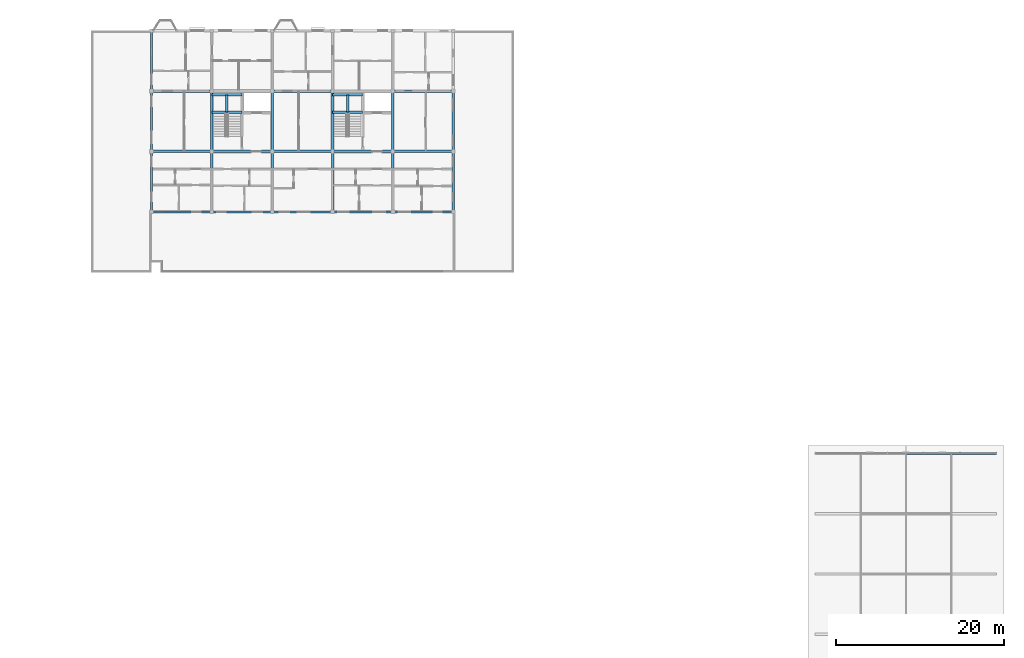
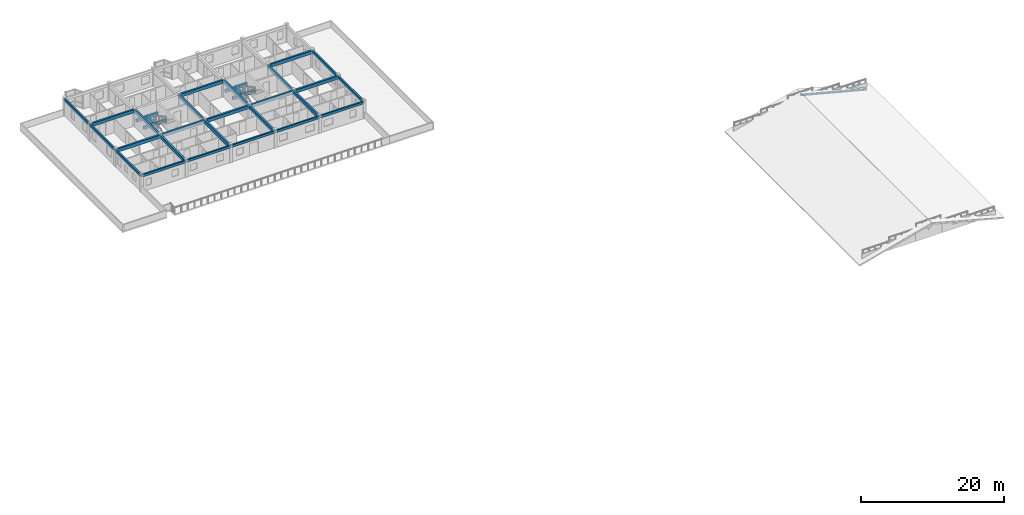
# One storey, part 17 of 40: 32 beams, 1 member.
"""IFC4 building model written with IfcOpenShell, lengths in metres."""

from ifc_helpers import new_model, si_unit, direction, frame, origin, origin_2d, place, context, subcontext, project, spatial, rectangle, i_section, extrude, material, material_profile, profile_set, type_object, element, save


model = new_model("IFC4")

# Units and contexts
model_context = context("Model", 3, precision=1e-05, world=origin(), true_north=direction((0.0, 1.0)))
body_context = subcontext(model_context, "Body", "Model", "MODEL_VIEW")
ifc_project = project(units=[si_unit("LENGTHUNIT", "METRE"), si_unit("AREAUNIT", "SQUARE_METRE"), si_unit("VOLUMEUNIT", "CUBIC_METRE"), si_unit("PLANEANGLEUNIT", "RADIAN"), si_unit("MASSUNIT", "GRAM", prefix="KILO"), si_unit("THERMODYNAMICTEMPERATUREUNIT", "KELVIN"), si_unit("POWERUNIT", "WATT")], contexts=[model_context])

# Site, building, storey
site_placement = place(None, origin())
site = spatial("IfcSite", under=ifc_project, at=site_placement, CompositionType="ELEMENT")
building_placement = place(site_placement, origin())
building = spatial("IfcBuilding", under=site, at=building_placement, Name="Tavuni Mirador Residences", CompositionType="ELEMENT")
storey_placement = place(building_placement, frame((0.0, 0.0, 36.0)))
storey = spatial("IfcBuildingStorey", under=building, at=storey_placement, Name="L11", CompositionType="ELEMENT", Elevation=36.0)

# Beams
ifc_material_1 = material(Name="Precast concrete C40/50", Category="concrete")
ifc_material_profile_1 = material_profile(ifc_material_1, rectangle(XDim=0.300048828125, YDim=0.5, at=origin_2d()), Name="PC 300x500", Category="concrete")
ifc_profile_set_1 = profile_set([ifc_material_profile_1], Name="Precast concrete C40/50")
beam_type_1 = type_object("IfcBeamType", Name="BT-B500", PredefinedType="BEAM", material=ifc_profile_set_1)
for number, where, z_axis, x_axis, name in (
    (1, (25.199951171875, 163.10009765625, 1.14501953125), (1.0, 0.0, 0.0), (0.0, 1.0, 0.0), "HLB1-C5-L11"),
    (2, (25.199951171875, 165.14990234375, 1.14501953125), (1.0, 0.0, 0.0), (0.0, 1.0, 0.0), "HLB2-C5-L11"),
):
    element("IfcBeam", number, at=place(storey_placement, frame(where, z_axis=z_axis, x_axis=x_axis)), inside=storey, type_object=beam_type_1, Name=name, PredefinedType="BEAM", context=body_context, shape_type="SweptSolid", body=[
        extrude(rectangle(XDim=0.300048828125, YDim=0.5, at=origin_2d()), origin(), (0.0, 0.0, 1.0), 3.60009765625),
    ])
beam_1_placement = place(storey_placement, frame((27.0, 163.10009765625, 1.14501953125), z_axis=(0.0, 1.0, 0.0), x_axis=(-1.0, 0.0, 0.0)))
element("IfcBeam", 3, at=beam_1_placement, inside=storey, type_object=beam_type_1, Name="HLB3-C5-L11", PredefinedType="BEAM", context=body_context, shape_type="SweptSolid", body=[
    extrude(rectangle(XDim=0.300048828125, YDim=0.5, at=origin_2d()), origin(), (0.0, 0.0, 1.0), 2.0498046875),
])
for number, where, z_axis, x_axis, name in (
    (4, (39.60009765625, 163.10009765625, 1.14501953125), (1.0, 0.0, 0.0), (0.0, 1.0, 0.0), "HLB1-C6-L11"),
    (5, (39.60009765625, 165.14990234375, 1.14501953125), (1.0, 0.0, 0.0), (0.0, 1.0, 0.0), "HLB2-C6-L11"),
):
    element("IfcBeam", number, at=place(storey_placement, frame(where, z_axis=z_axis, x_axis=x_axis)), inside=storey, type_object=beam_type_1, Name=name, PredefinedType="BEAM", context=body_context, shape_type="SweptSolid", body=[
        extrude(rectangle(XDim=0.300048828125, YDim=0.5, at=origin_2d()), origin(), (0.0, 0.0, 1.0), 3.599853515625),
    ])
beam_2_placement = place(storey_placement, frame((41.39990234375, 163.10009765625, 1.14501953125), z_axis=(0.0, 1.0, 0.0), x_axis=(-1.0, 0.0, 0.0)))
element("IfcBeam", 6, at=beam_2_placement, inside=storey, type_object=beam_type_1, Name="HLB3-C6-L11", PredefinedType="BEAM", context=body_context, shape_type="SweptSolid", body=[
    extrude(rectangle(XDim=0.300048828125, YDim=0.5, at=origin_2d()), origin(), (0.0, 0.0, 1.0), 2.0498046875),
])
ifc_material_profile_2 = material_profile(ifc_material_1, rectangle(XDim=0.300048828125, YDim=0.550048828125, at=origin_2d()), Name="PC 300x550", Category="concrete")
ifc_profile_set_2 = profile_set([ifc_material_profile_2], Name="Precast concrete C40/50")
beam_type_2 = type_object("IfcBeamType", Name="BT-B550", PredefinedType="BEAM", material=ifc_profile_set_2)
for number, where, z_axis, x_axis, name in (
    (7, (18.0, 158.39990234375, 2.610107421875), (1.0, 0.0, 0.0), (0.0, 1.0, 0.0), "BMX-BLK-C-L11-00-01"),
    (8, (25.199951171875, 158.39990234375, 2.610107421875), (1.0, 0.0, 0.0), (0.0, 1.0, 0.0), "BMX-BLK-C-L11-01-01"),
):
    element("IfcBeam", number, at=place(storey_placement, frame(where, z_axis=z_axis, x_axis=x_axis)), inside=storey, type_object=beam_type_2, Name=name, PredefinedType="BEAM", context=body_context, shape_type="SweptSolid", body=[
        extrude(rectangle(XDim=0.300048828125, YDim=0.550048828125, at=origin_2d()), origin(), (0.0, 0.0, 1.0), 7.199951171875),
    ])
beam_3_placement = place(storey_placement, frame((32.39990234375, 158.39990234375, 2.610107421875), z_axis=(1.0, 0.0, 0.0), x_axis=(0.0, 1.0, 0.0)))
element("IfcBeam", 9, at=beam_3_placement, inside=storey, type_object=beam_type_2, Name="BMX-BLK-C-L11-02-01", PredefinedType="BEAM", context=body_context, shape_type="SweptSolid", body=[
    extrude(rectangle(XDim=0.300048828125, YDim=0.550048828125, at=origin_2d()), origin(), (0.0, 0.0, 1.0), 7.2001953125),
])
for number, where, z_axis, x_axis, name in (
    (10, (39.60009765625, 158.39990234375, 2.610107421875), (1.0, 0.0, 0.0), (0.0, 1.0, 0.0), "BMX-BLK-C-L11-03-01"),
    (11, (46.800048828125, 158.39990234375, 2.610107421875), (1.0, 0.0, 0.0), (0.0, 1.0, 0.0), "BMX-BLK-C-L11-04-01"),
    (12, (18.0, 165.60009765625, 2.610107421875), (1.0, 0.0, 0.0), (0.0, 1.0, 0.0), "BMX-BLK-C-L11-00-02"),
):
    element("IfcBeam", number, at=place(storey_placement, frame(where, z_axis=z_axis, x_axis=x_axis)), inside=storey, type_object=beam_type_2, Name=name, PredefinedType="BEAM", context=body_context, shape_type="SweptSolid", body=[
        extrude(rectangle(XDim=0.300048828125, YDim=0.550048828125, at=origin_2d()), origin(), (0.0, 0.0, 1.0), 7.199951171875),
    ])
beam_4_placement = place(storey_placement, frame((32.39990234375, 165.60009765625, 2.610107421875), z_axis=(1.0, 0.0, 0.0), x_axis=(0.0, 1.0, 0.0)))
element("IfcBeam", 13, at=beam_4_placement, inside=storey, type_object=beam_type_2, Name="BMX-BLK-C-L11-02-02", PredefinedType="BEAM", context=body_context, shape_type="SweptSolid", body=[
    extrude(rectangle(XDim=0.300048828125, YDim=0.550048828125, at=origin_2d()), origin(), (0.0, 0.0, 1.0), 7.2001953125),
])
for number, where, z_axis, x_axis, name in (
    (14, (46.800048828125, 165.60009765625, 2.610107421875), (1.0, 0.0, 0.0), (0.0, 1.0, 0.0), "BMX-BLK-C-L11-04-02"),
    (15, (25.199951171875, 151.199951171875, 2.610107421875), (0.0, 1.0, 0.0), (-1.0, 0.0, 0.0), "BMY-BLK-C-L11-01-00"),
):
    element("IfcBeam", number, at=place(storey_placement, frame(where, z_axis=z_axis, x_axis=x_axis)), inside=storey, type_object=beam_type_2, Name=name, PredefinedType="BEAM", context=body_context, shape_type="SweptSolid", body=[
        extrude(rectangle(XDim=0.300048828125, YDim=0.550048828125, at=origin_2d()), origin(), (0.0, 0.0, 1.0), 7.199951171875),
    ])
beam_5_placement = place(storey_placement, frame((25.199951171875, 158.39990234375, 2.610107421875), z_axis=(0.0, 1.0, 0.0), x_axis=(-1.0, 0.0, 0.0)))
element("IfcBeam", 16, at=beam_5_placement, inside=storey, type_object=beam_type_2, Name="BMY-BLK-C-L11-01-01", PredefinedType="BEAM", context=body_context, shape_type="SweptSolid", body=[
    extrude(rectangle(XDim=0.300048828125, YDim=0.550048828125, at=origin_2d()), origin(), (0.0, 0.0, 1.0), 7.2001953125),
])
beam_6_placement = place(storey_placement, frame((32.39990234375, 151.199951171875, 2.610107421875), z_axis=(0.0, 1.0, 0.0), x_axis=(-1.0, 0.0, 0.0)))
element("IfcBeam", 17, at=beam_6_placement, inside=storey, type_object=beam_type_2, Name="BMY-BLK-C-L11-02-00", PredefinedType="BEAM", context=body_context, shape_type="SweptSolid", body=[
    extrude(rectangle(XDim=0.300048828125, YDim=0.550048828125, at=origin_2d()), origin(), (0.0, 0.0, 1.0), 7.199951171875),
])
beam_7_placement = place(storey_placement, frame((32.39990234375, 158.39990234375, 2.610107421875), z_axis=(0.0, 1.0, 0.0), x_axis=(-1.0, 0.0, 0.0)))
element("IfcBeam", 18, at=beam_7_placement, inside=storey, type_object=beam_type_2, Name="BMY-BLK-C-L11-02-01", PredefinedType="BEAM", context=body_context, shape_type="SweptSolid", body=[
    extrude(rectangle(XDim=0.300048828125, YDim=0.550048828125, at=origin_2d()), origin(), (0.0, 0.0, 1.0), 7.2001953125),
])
beam_8_placement = place(storey_placement, frame((39.60009765625, 151.199951171875, 2.610107421875), z_axis=(0.0, 1.0, 0.0), x_axis=(-1.0, 0.0, 0.0)))
element("IfcBeam", 19, at=beam_8_placement, inside=storey, type_object=beam_type_2, Name="BMY-BLK-C-L11-03-00", PredefinedType="BEAM", context=body_context, shape_type="SweptSolid", body=[
    extrude(rectangle(XDim=0.300048828125, YDim=0.550048828125, at=origin_2d()), origin(), (0.0, 0.0, 1.0), 7.199951171875),
])
beam_9_placement = place(storey_placement, frame((39.60009765625, 158.39990234375, 2.610107421875), z_axis=(0.0, 1.0, 0.0), x_axis=(-1.0, 0.0, 0.0)))
element("IfcBeam", 20, at=beam_9_placement, inside=storey, type_object=beam_type_2, Name="BMY-BLK-C-L11-03-01", PredefinedType="BEAM", context=body_context, shape_type="SweptSolid", body=[
    extrude(rectangle(XDim=0.300048828125, YDim=0.550048828125, at=origin_2d()), origin(), (0.0, 0.0, 1.0), 7.2001953125),
])
beam_10_placement = place(storey_placement, frame((46.800048828125, 151.199951171875, 2.610107421875), z_axis=(0.0, 1.0, 0.0), x_axis=(-1.0, 0.0, 0.0)))
element("IfcBeam", 21, at=beam_10_placement, inside=storey, type_object=beam_type_2, Name="BMY-BLK-C-L11-04-00", PredefinedType="BEAM", context=body_context, shape_type="SweptSolid", body=[
    extrude(rectangle(XDim=0.300048828125, YDim=0.550048828125, at=origin_2d()), origin(), (0.0, 0.0, 1.0), 7.199951171875),
])
beam_11_placement = place(storey_placement, frame((46.800048828125, 158.39990234375, 2.610107421875), z_axis=(0.0, 1.0, 0.0), x_axis=(-1.0, 0.0, 0.0)))
element("IfcBeam", 22, at=beam_11_placement, inside=storey, type_object=beam_type_2, Name="BMY-BLK-C-L11-04-01", PredefinedType="BEAM", context=body_context, shape_type="SweptSolid", body=[
    extrude(rectangle(XDim=0.300048828125, YDim=0.550048828125, at=origin_2d()), origin(), (0.0, 0.0, 1.0), 7.2001953125),
])
ifc_material_profile_3 = material_profile(ifc_material_1, rectangle(XDim=0.25, YDim=0.419921875, at=origin_2d()), Name="PC 250x420", Category="concrete")
ifc_profile_set_3 = profile_set([ifc_material_profile_3], Name="Precast concrete C40/50")
beam_type_3 = type_object("IfcBeamType", Name="BT-SP420", PredefinedType="SPANDREL", material=ifc_profile_set_3)
for number, where, z_axis, x_axis, name in (
    (23, (18.0, 151.199951171875, 2.675048828125), (1.0, 0.0, 0.0), (0.0, 1.0, 0.0), "BMX-BLK-C-L11-00-00"),
    (24, (25.199951171875, 151.199951171875, 2.675048828125), (1.0, 0.0, 0.0), (0.0, 1.0, 0.0), "BMX-BLK-C-L11-01-00"),
):
    element("IfcBeam", number, at=place(storey_placement, frame(where, z_axis=z_axis, x_axis=x_axis)), inside=storey, type_object=beam_type_3, Name=name, PredefinedType="SPANDREL", context=body_context, shape_type="SweptSolid", body=[
        extrude(rectangle(XDim=0.25, YDim=0.419921875, at=origin_2d()), origin(), (0.0, 0.0, 1.0), 7.199951171875),
    ])
beam_12_placement = place(storey_placement, frame((32.39990234375, 151.199951171875, 2.675048828125), z_axis=(1.0, 0.0, 0.0), x_axis=(0.0, 1.0, 0.0)))
element("IfcBeam", 25, at=beam_12_placement, inside=storey, type_object=beam_type_3, Name="BMX-BLK-C-L11-02-00", PredefinedType="SPANDREL", context=body_context, shape_type="SweptSolid", body=[
    extrude(rectangle(XDim=0.25, YDim=0.419921875, at=origin_2d()), origin(), (0.0, 0.0, 1.0), 7.2001953125),
])
for number, where, z_axis, x_axis, name in (
    (26, (39.60009765625, 151.199951171875, 2.675048828125), (1.0, 0.0, 0.0), (0.0, 1.0, 0.0), "BMX-BLK-C-L11-03-00"),
    (27, (46.800048828125, 151.199951171875, 2.675048828125), (1.0, 0.0, 0.0), (0.0, 1.0, 0.0), "BMX-BLK-C-L11-04-00"),
    (28, (18.0, 151.199951171875, 2.675048828125), (0.0, 1.0, 0.0), (-1.0, 0.0, 0.0), "BMY-BLK-C-L11-00-00"),
):
    element("IfcBeam", number, at=place(storey_placement, frame(where, z_axis=z_axis, x_axis=x_axis)), inside=storey, type_object=beam_type_3, Name=name, PredefinedType="SPANDREL", context=body_context, shape_type="SweptSolid", body=[
        extrude(rectangle(XDim=0.25, YDim=0.419921875, at=origin_2d()), origin(), (0.0, 0.0, 1.0), 7.199951171875),
    ])
beam_13_placement = place(storey_placement, frame((18.0, 158.39990234375, 2.675048828125), z_axis=(0.0, 1.0, 0.0), x_axis=(-1.0, 0.0, 0.0)))
element("IfcBeam", 29, at=beam_13_placement, inside=storey, type_object=beam_type_3, Name="BMY-BLK-C-L11-00-01", PredefinedType="SPANDREL", context=body_context, shape_type="SweptSolid", body=[
    extrude(rectangle(XDim=0.25, YDim=0.419921875, at=origin_2d()), origin(), (0.0, 0.0, 1.0), 7.2001953125),
])
for number, where, z_axis, x_axis, name in (
    (30, (18.0, 165.60009765625, 2.675048828125), (0.0, 1.0, 0.0), (-1.0, 0.0, 0.0), "BMY-BLK-C-L11-00-02"),
    (31, (54.0, 151.199951171875, 2.675048828125), (0.0, 1.0, 0.0), (-1.0, 0.0, 0.0), "BMY-BLK-C-L11-05-00"),
):
    element("IfcBeam", number, at=place(storey_placement, frame(where, z_axis=z_axis, x_axis=x_axis)), inside=storey, type_object=beam_type_3, Name=name, PredefinedType="SPANDREL", context=body_context, shape_type="SweptSolid", body=[
        extrude(rectangle(XDim=0.25, YDim=0.419921875, at=origin_2d()), origin(), (0.0, 0.0, 1.0), 7.199951171875),
    ])
beam_14_placement = place(storey_placement, frame((54.0, 158.39990234375, 2.675048828125), z_axis=(0.0, 1.0, 0.0), x_axis=(-1.0, 0.0, 0.0)))
element("IfcBeam", 32, at=beam_14_placement, inside=storey, type_object=beam_type_3, Name="BMY-BLK-C-L11-05-01", PredefinedType="SPANDREL", context=body_context, shape_type="SweptSolid", body=[
    extrude(rectangle(XDim=0.25, YDim=0.419921875, at=origin_2d()), origin(), (0.0, 0.0, 1.0), 7.2001953125),
])

# Member
ifc_material_2 = material(Name="Structural steel S355", Category="steel")
ifc_material_profile_4 = material_profile(ifc_material_2, i_section(OverallWidth=0.280029296875, OverallDepth=0.27001953125, WebThickness=0.008056640625, FlangeThickness=0.012939453125, FilletRadius=0.02392578125, at=origin_2d()), Name="HEA 280", Category="steel")
ifc_profile_set_4 = profile_set([ifc_material_profile_4], Name="Structural steel S355")
member_type = type_object("IfcMemberType", Name="MT-CH-HEA280", PredefinedType="CHORD", material=ifc_profile_set_4)
member_placement = place(storey_placement, frame((108.0, 122.39990234375, 2.449951171875), z_axis=(0.967996110632, 0.0, -0.250965196393), x_axis=(0.0, 1.0, 0.0)))
element("IfcMember", 33, at=member_placement, inside=storey, type_object=member_type, Name="RAF-BLK-D-05-E", PredefinedType="CHORD", context=body_context, shape_type="SweptSolid", body=[
    extrude(i_section(OverallWidth=0.280029296875, OverallDepth=0.27001953125, WebThickness=0.008056640625, FlangeThickness=0.012939453125, FilletRadius=0.02392578125, at=origin_2d()), origin(), (0.0, 0.0, 1.0), 11.1572265625),
])

save(model, "model.ifc")
